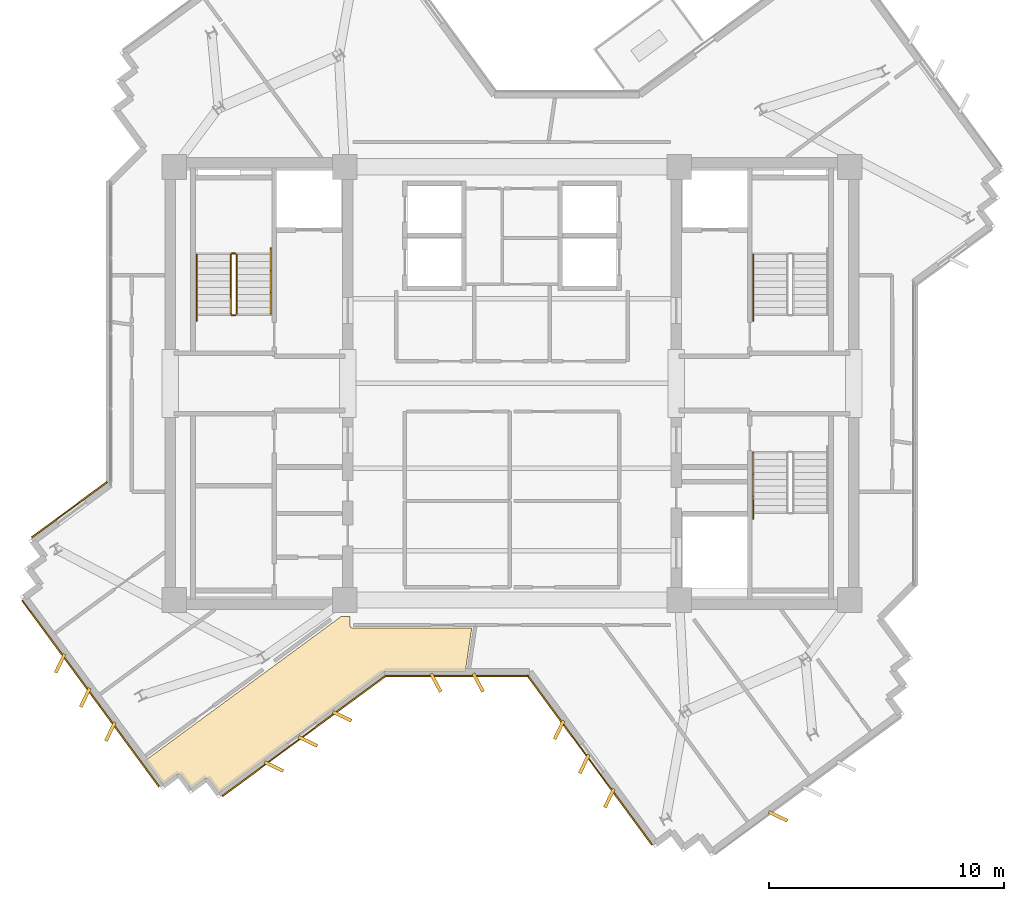
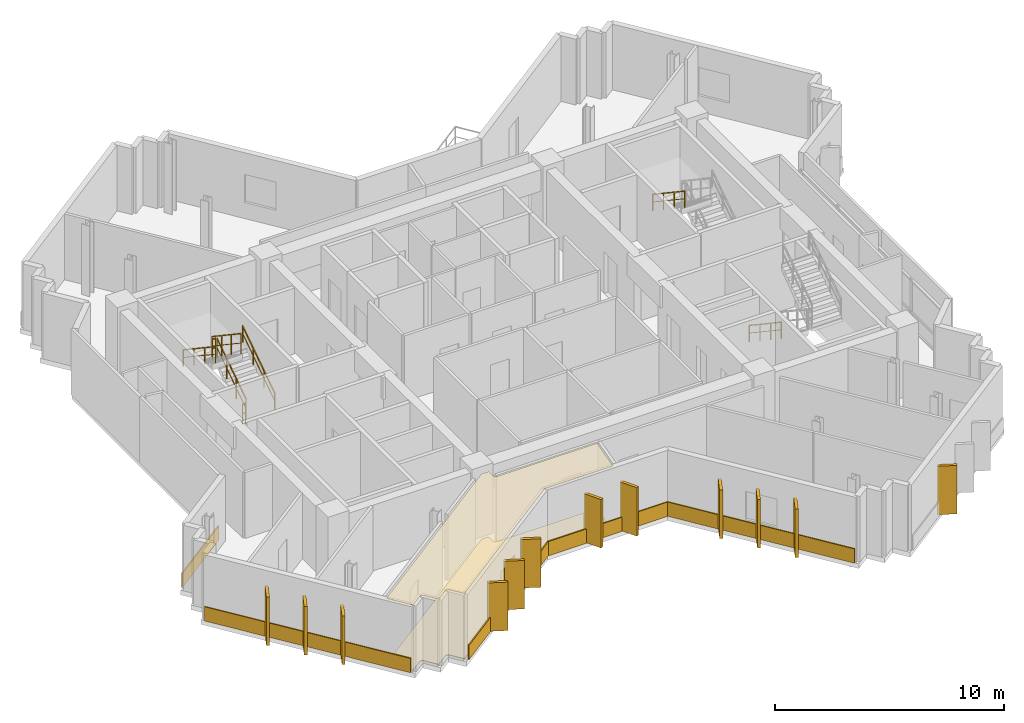
# One storey, part 11 of 13: 19 coverings, 8 railings.
"""IFC4 building model written with IfcOpenShell, lengths in metres."""

from ifc_helpers import new_model, si_unit, direction, frame, origin, origin_2d, place, context, subcontext, project, spatial, polyline, rectangle, outline, extrude, source, transform, mapped, material, layer, layer_set, type_object, element, save


model = new_model("IFC4")

# Units and contexts
model_context = context("Model", 3, precision=1e-05, world=origin(), true_north=direction((0.0, 1.0)))
body_context = subcontext(model_context, "Body", "Model", "MODEL_VIEW")
ifc_project = project(units=[si_unit("LENGTHUNIT", "METRE"), si_unit("AREAUNIT", "SQUARE_METRE"), si_unit("VOLUMEUNIT", "CUBIC_METRE"), si_unit("PLANEANGLEUNIT", "RADIAN"), si_unit("MASSUNIT", "GRAM", prefix="KILO")], contexts=[model_context])

# Site, building, storey
site_placement = place(None, origin())
site = spatial("IfcSite", under=ifc_project, at=site_placement, CompositionType="ELEMENT")
building_placement = place(site_placement, origin())
building = spatial("IfcBuilding", under=site, at=building_placement, Name="Zahravan Cultural Tower", CompositionType="ELEMENT")
storey_placement = place(building_placement, frame((0.0, 0.0, 276.60009765625)))
storey = spatial("IfcBuildingStorey", under=building, at=storey_placement, Name="L66", CompositionType="ELEMENT", Elevation=276.60009765625)

# Coverings
ifc_material_1 = material(Name="Acoustic mineral fibreboard")
ifc_layer_1 = layer(ifc_material_1, 0.0400390625)
ifc_layer_set_1 = layer_set([ifc_layer_1], Name="Acoustic mineral fibreboard")
covering_type_1 = type_object("IfcCoveringType", Name="COV-CEIL-AC20", PredefinedType="CEILING", material=ifc_layer_set_1)
covering_1_placement = place(storey_placement, frame((0.0, 0.0, 3.4599609375)))
element("IfcCovering", 1, at=covering_1_placement, inside=storey, type_object=covering_type_1, Name="L66 Acoustic Suspended Ceiling", PredefinedType="CEILING", context=body_context, shape_type="SweptSolid", body=[
    extrude(outline(polyline([(21.1767578125, 9.957763671875), (21.73876953125, 10.371337890625), (21.78857421875, 10.394775390625), (21.8515625, 10.397705078125), (21.910888671875, 10.376220703125), (21.951416015625, 10.339111328125), (22.364990234375, 9.777099609375), (22.938720703125, 10.198486328125), (23.00830078125, 10.219482421875), (23.085693359375, 10.20361328125), (23.138671875, 10.159912109375), (23.553466796875, 9.59619140625), (30.571533203125, 14.756103515625), (34.0166015625, 14.760009765625), (34.28759765625, 16.60009765625), (29.22607421875, 16.600341796875), (29.1474609375, 16.637451171875), (29.1103515625, 16.716064453125), (29.110107421875, 17.10009765625), (28.7392578125, 17.10009765625), (20.423828125, 10.980712890625), (21.1767578125, 9.957763671875)])), origin(), (0.0, 0.0, 1.0), 0.0400390625),
])
ifc_material_2 = material(Name="Terrazzo flooring")
ifc_layer_2 = layer(ifc_material_2, 0.02490234375)
ifc_layer_set_2 = layer_set([ifc_layer_2], Name="Terrazzo flooring")
covering_type_2 = type_object("IfcCoveringType", Name="COV-FLR-TZ25", PredefinedType="FLOORING", material=ifc_layer_set_2)
covering_2_placement = place(storey_placement, origin())
element("IfcCovering", 2, at=covering_2_placement, inside=storey, type_object=covering_type_2, Name="L66 Polished Terrazzo Flooring", PredefinedType="FLOORING", context=body_context, shape_type="SweptSolid", body=[
    extrude(outline(polyline([(21.1767578125, 9.957763671875), (21.73876953125, 10.371337890625), (21.78857421875, 10.394775390625), (21.8515625, 10.397705078125), (21.910888671875, 10.376220703125), (21.951416015625, 10.339111328125), (22.364990234375, 9.777099609375), (22.938720703125, 10.198486328125), (23.00830078125, 10.219482421875), (23.085693359375, 10.20361328125), (23.138671875, 10.159912109375), (23.553466796875, 9.59619140625), (30.571533203125, 14.756103515625), (34.0166015625, 14.760009765625), (34.28759765625, 16.60009765625), (29.22607421875, 16.600341796875), (29.1474609375, 16.637451171875), (29.1103515625, 16.716064453125), (29.110107421875, 17.10009765625), (28.7392578125, 17.10009765625), (20.423828125, 10.980712890625), (21.1767578125, 9.957763671875)])), origin(), (0.0, 0.0, 1.0), 0.02490234375),
])

# Railings
ifc_material_3 = material(Name="Steel ASTM A572 Grade 50", Category="steel")
railing_type_1 = type_object("IfcRailingType", Name="RL-STAIR-GRD1150", PredefinedType="BALUSTRADE", material=ifc_material_3)
railing_1_placement = place(storey_placement, frame((24.300048828125, 29.949951171875, 0.1875)))
element("IfcRailing", 3, at=railing_1_placement, inside=storey, type_object=railing_type_1, Name="L66 ST-W1 stair guard 1", PredefinedType="BALUSTRADE", context=body_context, shape_type="SweptSolid", body=[
    extrude(rectangle(XDim=0.05, YDim=0.05, at=origin_2d()), frame((0.0, 0.0, 1.0751953125), z_axis=(0.0, 0.830909170722, 0.55640807867), x_axis=(-1.0, 0.0, 0.0)), (0.0, 0.0, 1.0), 3.032958984375),
    extrude(rectangle(XDim=0.032, YDim=0.032, at=origin_2d()), frame((0.0, 0.0, 0.572021484375), z_axis=(0.0, 0.830909170722, 0.55640807867), x_axis=(-1.0, 0.0, 0.0)), (0.0, 0.0, 1.0), 3.032958984375),
    extrude(rectangle(XDim=0.04, YDim=0.04, at=origin_2d()), origin(), (0.0, 0.0, 1.0), 1.10009765625),
    extrude(rectangle(XDim=0.04, YDim=0.04, at=origin_2d()), frame((0.0, 0.840087890625, 0.5625)), (0.0, 0.0, 1.0), 1.10009765625),
    extrude(rectangle(XDim=0.04, YDim=0.04, at=origin_2d()), frame((0.0, 1.679931640625, 1.125)), (0.0, 0.0, 1.0), 1.10009765625),
    extrude(rectangle(XDim=0.04, YDim=0.04, at=origin_2d()), frame((0.0, 2.52001953125, 1.6875)), (0.0, 0.0, 1.0), 1.10009765625),
])
railing_2_placement = place(storey_placement, frame((24.25, 32.52001953125, 1.875)))
element("IfcRailing", 4, at=railing_2_placement, inside=storey, type_object=railing_type_1, Name="L66 ST-W1 stair guard 2", PredefinedType="BALUSTRADE", context=body_context, shape_type="SweptSolid", body=[
    extrude(rectangle(XDim=0.05, YDim=0.05, at=origin_2d()), frame((0.0, 0.0, 1.0751953125), z_axis=(-1.0, 0.0, 0.0), x_axis=(0.0, -1.0, 0.0)), (0.0, 0.0, 1.0), 0.14990234375),
    extrude(rectangle(XDim=0.032, YDim=0.032, at=origin_2d()), frame((0.0, 0.0, 0.572021484375), z_axis=(-1.0, 0.0, 0.0), x_axis=(0.0, -1.0, 0.0)), (0.0, 0.0, 1.0), 0.14990234375),
    extrude(rectangle(XDim=0.04, YDim=0.04, at=origin_2d()), origin(), (0.0, 0.0, 1.0), 1.10009765625),
    extrude(rectangle(XDim=0.04, YDim=0.04, at=origin_2d()), frame((-0.14990234375, 0.0, 0.0)), (0.0, 0.0, 1.0), 1.10009765625),
])
railing_3_placement = place(storey_placement, frame((24.050048828125, 32.469970703125, 2.0625)))
element("IfcRailing", 5, at=railing_3_placement, inside=storey, type_object=railing_type_1, Name="L66 ST-W1 stair guard 3", PredefinedType="BALUSTRADE", context=body_context, shape_type="SweptSolid", body=[
    extrude(rectangle(XDim=0.05, YDim=0.05, at=origin_2d()), frame((0.0, 0.0, 1.0751953125), z_axis=(0.0, -0.830909170722, 0.55640807867), x_axis=(1.0, 0.0, 0.0)), (0.0, 0.0, 1.0), 3.032958984375),
    extrude(rectangle(XDim=0.032, YDim=0.032, at=origin_2d()), frame((0.0, 0.0, 0.572021484375), z_axis=(0.0, -0.830909170722, 0.55640807867), x_axis=(1.0, 0.0, 0.0)), (0.0, 0.0, 1.0), 3.032958984375),
    extrude(rectangle(XDim=0.04, YDim=0.04, at=origin_2d()), origin(), (0.0, 0.0, 1.0), 1.10009765625),
    extrude(rectangle(XDim=0.04, YDim=0.04, at=origin_2d()), frame((0.0, -0.840087890625, 0.5625)), (0.0, 0.0, 1.0), 1.10009765625),
    extrude(rectangle(XDim=0.04, YDim=0.04, at=origin_2d()), frame((0.0, -1.679931640625, 1.125)), (0.0, 0.0, 1.0), 1.10009765625),
    extrude(rectangle(XDim=0.04, YDim=0.04, at=origin_2d()), frame((0.0, -2.52001953125, 1.6875)), (0.0, 0.0, 1.0), 1.10009765625),
])
railing_4_placement = place(storey_placement, frame((24.25, 29.89990234375, 0.0)))
element("IfcRailing", 6, at=railing_4_placement, inside=storey, type_object=railing_type_1, Name="L66 ST-W1 stair guard 4", PredefinedType="BALUSTRADE", context=body_context, shape_type="SweptSolid", body=[
    extrude(rectangle(XDim=0.05, YDim=0.05, at=origin_2d()), frame((0.0, 0.0, 1.0751953125), z_axis=(-1.0, 0.0, 0.0), x_axis=(0.0, -1.0, 0.0)), (0.0, 0.0, 1.0), 0.14990234375),
    extrude(rectangle(XDim=0.032, YDim=0.032, at=origin_2d()), frame((0.0, 0.0, 0.572021484375), z_axis=(-1.0, 0.0, 0.0), x_axis=(0.0, -1.0, 0.0)), (0.0, 0.0, 1.0), 0.14990234375),
    extrude(rectangle(XDim=0.04, YDim=0.04, at=origin_2d()), origin(), (0.0, 0.0, 1.0), 1.10009765625),
    extrude(rectangle(XDim=0.04, YDim=0.04, at=origin_2d()), frame((-0.14990234375, 0.0, 0.0)), (0.0, 0.0, 1.0), 1.10009765625),
])
railing_type_2 = type_object("IfcRailingType", Name="RL-STAIR-HR900", PredefinedType="HANDRAIL", material=ifc_material_3)
railing_5_placement = place(storey_placement, frame((25.75, 29.949951171875, 0.1875)))
element("IfcRailing", 7, at=railing_5_placement, inside=storey, type_object=railing_type_2, Name="L66 ST-W1 stair handrail 1", PredefinedType="HANDRAIL", context=body_context, shape_type="SweptSolid", body=[
    extrude(rectangle(XDim=0.05, YDim=0.05, at=origin_2d()), frame((0.0, 0.0, 0.875), z_axis=(0.0, 0.830911662861, 0.55640435703), x_axis=(-1.0, 0.0, 0.0)), (0.0, 0.0, 1.0), 3.369873046875),
    extrude(rectangle(XDim=0.032, YDim=0.032, at=origin_2d()), frame((0.0, 0.0, 0.468017578125), z_axis=(0.0, 0.830911662861, 0.55640435703), x_axis=(-1.0, 0.0, 0.0)), (0.0, 0.0, 1.0), 3.369873046875),
    extrude(rectangle(XDim=0.04, YDim=0.04, at=origin_2d()), origin(), (0.0, 0.0, 1.0), 0.89990234375),
    extrude(rectangle(XDim=0.04, YDim=0.04, at=origin_2d()), frame((0.0, 0.933349609375, 0.625)), (0.0, 0.0, 1.0), 0.89990234375),
    extrude(rectangle(XDim=0.04, YDim=0.04, at=origin_2d()), frame((0.0, 1.86669921875, 1.25)), (0.0, 0.0, 1.0), 0.89990234375),
    extrude(rectangle(XDim=0.04, YDim=0.04, at=origin_2d()), frame((0.0, 2.800048828125, 1.875)), (0.0, 0.0, 1.0), 0.89990234375),
])
for number, where, name in (
    (8, (22.60009765625, 32.469970703125, 2.0625), "L66 ST-W1 stair handrail 2"),
    (9, (46.25, 32.469970703125, 2.0625), "L66 ST-E1 stair handrail 2"),
    (10, (46.25, 24.050048828125, 0.1875), "L66 ST-E2 stair handrail 1"),
):
    element("IfcRailing", number, at=place(storey_placement, frame(where)), inside=storey, type_object=railing_type_2, Name=name, PredefinedType="HANDRAIL", context=body_context, shape_type="SweptSolid", body=[
        extrude(rectangle(XDim=0.05, YDim=0.05, at=origin_2d()), frame((0.0, 0.0, 0.875), z_axis=(0.0, -0.830911662861, 0.55640435703), x_axis=(1.0, 0.0, 0.0)), (0.0, 0.0, 1.0), 3.369873046875),
        extrude(rectangle(XDim=0.032, YDim=0.032, at=origin_2d()), frame((0.0, 0.0, 0.468017578125), z_axis=(0.0, -0.830911662861, 0.55640435703), x_axis=(1.0, 0.0, 0.0)), (0.0, 0.0, 1.0), 3.369873046875),
        extrude(rectangle(XDim=0.04, YDim=0.04, at=origin_2d()), origin(), (0.0, 0.0, 1.0), 0.89990234375),
        extrude(rectangle(XDim=0.04, YDim=0.04, at=origin_2d()), frame((0.0, -0.933349609375, 0.625)), (0.0, 0.0, 1.0), 0.89990234375),
        extrude(rectangle(XDim=0.04, YDim=0.04, at=origin_2d()), frame((0.0, -1.86669921875, 1.25)), (0.0, 0.0, 1.0), 0.89990234375),
        extrude(rectangle(XDim=0.04, YDim=0.04, at=origin_2d()), frame((0.0, -2.800048828125, 1.875)), (0.0, 0.0, 1.0), 0.89990234375),
    ])

# Coverings
ifc_material_4 = material(Name="Terracotta ceramic cladding", Category="masonry")
ifc_layer_3 = layer(ifc_material_4, 0.06005859375)
ifc_layer_set_3 = layer_set([ifc_layer_3], Name="Terracotta ceramic cladding")
covering_type_3 = type_object("IfcCoveringType", Name="COV-CLAD-TC60", PredefinedType="CLADDING", material=ifc_layer_set_3)
shared_shape_1 = source(origin(), body_context, "Body", "SweptSolid", [
    extrude(rectangle(XDim=9.820068359375, YDim=0.06005859375, at=origin_2d()), origin(), (0.0, 0.0, 1.0), 0.760009765625),
])
covering_3_placement = place(storey_placement, frame((18.099609375, 13.826904296875, 0.02001953125), z_axis=(0.0, 0.0, 1.0), x_axis=(-0.592716258391, 0.80541134648, 0.0)))
element("IfcCovering", 11, at=covering_3_placement, inside=storey, type_object=covering_type_3, Name="L66 Terracotta Spandrel Cladding 30", PredefinedType="CLADDING", context=body_context, shape_type="MappedRepresentation", body=[
    mapped(shared_shape_1, transform((0.0, 0.0, 0.0), x_axis=(1.0, 0.0, 0.0), y_axis=(0.0, 1.0, 0.0), z_axis=(0.0, 0.0, 1.0), scale=1.0)),
])
shared_shape_2 = source(origin(), body_context, "Body", "SweptSolid", [
    extrude(rectangle(XDim=0.8798828125, YDim=0.139892578125, at=origin_2d()), origin(), (0.0, 0.0, 1.0), 2.580078125),
])
for number, where, z_axis, x_axis, name in (
    (12, (47.299560546875, 8.608642578125, 0.0498046875), (0.0, 0.0, 1.0), (0.901455117112, -0.43287258152, 0.0), "L66 Herringbone Terracotta Fin 07"),
    (13, (40.13671875, 9.38330078125, 0.0498046875), (0.0, 0.0, 1.0), (-0.43287258152, -0.901455117112, 0.0), "L66 Herringbone Terracotta Fin 08"),
    (14, (39.069580078125, 10.8330078125, 0.0498046875), (0.0, 0.0, 1.0), (-0.43287258152, -0.901455117112, 0.0), "L66 Herringbone Terracotta Fin 09"),
    (15, (38.002685546875, 12.282958984375, 0.0498046875), (0.0, 0.0, 1.0), (-0.43287258152, -0.901455117112, 0.0), "L66 Herringbone Terracotta Fin 10"),
    (16, (34.565185546875, 14.2900390625, 0.0498046875), (0.0, 0.0, 1.0), (0.469471562786, -0.882947592859, 0.0), "L66 Herringbone Terracotta Fin 11"),
    (17, (32.76513671875, 14.2900390625, 0.0498046875), (0.0, 0.0, 1.0), (0.469471562786, -0.882947592859, 0.0), "L66 Herringbone Terracotta Fin 12"),
    (18, (28.779541015625, 12.858642578125, 0.0498046875), (0.0, 0.0, 1.0), (0.901455117112, -0.43287258152, 0.0), "L66 Herringbone Terracotta Fin 13"),
    (19, (27.329833984375, 11.791748046875, 0.0498046875), (0.0, 0.0, 1.0), (0.901455117112, -0.43287258152, 0.0), "L66 Herringbone Terracotta Fin 14"),
    (20, (25.880126953125, 10.724853515625, 0.0498046875), (0.0, 0.0, 1.0), (0.901455117112, -0.43287258152, 0.0), "L66 Herringbone Terracotta Fin 15"),
    (21, (18.93701171875, 12.208251953125, 0.0498046875), (0.0, 0.0, 1.0), (-0.43287258152, -0.901455117112, 0.0), "L66 Herringbone Terracotta Fin 16"),
    (22, (17.8701171875, 13.657958984375, 0.0498046875), (0.0, 0.0, 1.0), (-0.43287258152, -0.901455117112, 0.0), "L66 Herringbone Terracotta Fin 17"),
    (23, (16.80322265625, 15.107666015625, 0.0498046875), (0.0, 0.0, 1.0), (-0.43287258152, -0.901455117112, 0.0), "L66 Herringbone Terracotta Fin 18"),
):
    element("IfcCovering", number, at=place(storey_placement, frame(where, z_axis=z_axis, x_axis=x_axis)), inside=storey, type_object=covering_type_3, Name=name, PredefinedType="CLADDING", context=body_context, shape_type="MappedRepresentation", body=[
        mapped(shared_shape_2, transform((0.0, 0.0, 0.0), x_axis=(1.0, 0.0, 0.0), y_axis=(0.0, 1.0, 0.0), z_axis=(0.0, 0.0, 1.0), scale=1.0)),
    ])
shared_shape_3 = source(origin(), body_context, "Body", "SweptSolid", [
    extrude(rectangle(XDim=8.62548828125, YDim=0.06005859375, at=origin_2d()), origin(), (0.0, 0.0, 1.0), 0.760009765625),
])
covering_4_placement = place(storey_placement, frame((27.160888671875, 12.021240234375, 0.02001953125), z_axis=(0.0, 0.0, 1.0), x_axis=(-0.80541134648, -0.592716258391, 0.0)))
element("IfcCovering", 24, at=covering_4_placement, inside=storey, type_object=covering_type_3, Name="L66 Terracotta Spandrel Cladding 25", PredefinedType="CLADDING", context=body_context, shape_type="MappedRepresentation", body=[
    mapped(shared_shape_3, transform((0.0, 0.0, 0.0), x_axis=(1.0, 0.0, 0.0), y_axis=(0.0, 1.0, 0.0), z_axis=(0.0, 0.0, 1.0), scale=1.0)),
])
shared_shape_4 = source(origin(), body_context, "Body", "SweptSolid", [
    extrude(rectangle(XDim=3.9794921875, YDim=0.06005859375, at=origin_2d()), origin(), (0.0, 0.0, 1.0), 0.760009765625),
])
covering_5_placement = place(storey_placement, frame((17.199462890625, 21.63818359375, 0.02001953125), z_axis=(0.0, 0.0, 1.0), x_axis=(0.80541134648, 0.592716258391, 0.0)))
element("IfcCovering", 25, at=covering_5_placement, inside=storey, type_object=covering_type_3, Name="L66 Terracotta Spandrel Cladding 35", PredefinedType="CLADDING", context=body_context, shape_type="MappedRepresentation", body=[
    mapped(shared_shape_4, transform((0.0, 0.0, 0.0), x_axis=(1.0, 0.0, 0.0), y_axis=(0.0, 1.0, 0.0), z_axis=(0.0, 0.0, 1.0), scale=1.0)),
])
shared_shape_5 = source(origin(), body_context, "Body", "SweptSolid", [
    extrude(rectangle(XDim=8.939208984375, YDim=0.06005859375, at=origin_2d()), origin(), (0.0, 0.0, 1.0), 0.760009765625),
])
covering_6_placement = place(storey_placement, frame((39.29931640625, 11.002197265625, 0.02001953125), z_axis=(0.0, 0.0, 1.0), x_axis=(-0.592716258391, 0.80541134648, 0.0)))
element("IfcCovering", 26, at=covering_6_placement, inside=storey, type_object=covering_type_3, Name="L66 Terracotta Spandrel Cladding 23", PredefinedType="CLADDING", context=body_context, shape_type="MappedRepresentation", body=[
    mapped(shared_shape_5, transform((0.0, 0.0, 0.0), x_axis=(1.0, 0.0, 0.0), y_axis=(0.0, 1.0, 0.0), z_axis=(0.0, 0.0, 1.0), scale=1.0)),
])
shared_shape_6 = source(origin(), body_context, "Body", "SweptSolid", [
    extrude(rectangle(XDim=6.076416015625, YDim=0.06005859375, at=origin_2d()), origin(), (0.0, 0.0, 1.0), 0.760009765625),
])
covering_7_placement = place(storey_placement, frame((33.6650390625, 14.574951171875, 0.02001953125), z_axis=(0.0, 0.0, 1.0), x_axis=(-1.0, 0.0, 0.0)))
element("IfcCovering", 27, at=covering_7_placement, inside=storey, type_object=covering_type_3, Name="L66 Terracotta Spandrel Cladding 24", PredefinedType="CLADDING", context=body_context, shape_type="MappedRepresentation", body=[
    mapped(shared_shape_6, transform((0.0, 0.0, 0.0), x_axis=(1.0, 0.0, 0.0), y_axis=(0.0, 1.0, 0.0), z_axis=(0.0, 0.0, 1.0), scale=1.0)),
])

save(model, "model.ifc")
